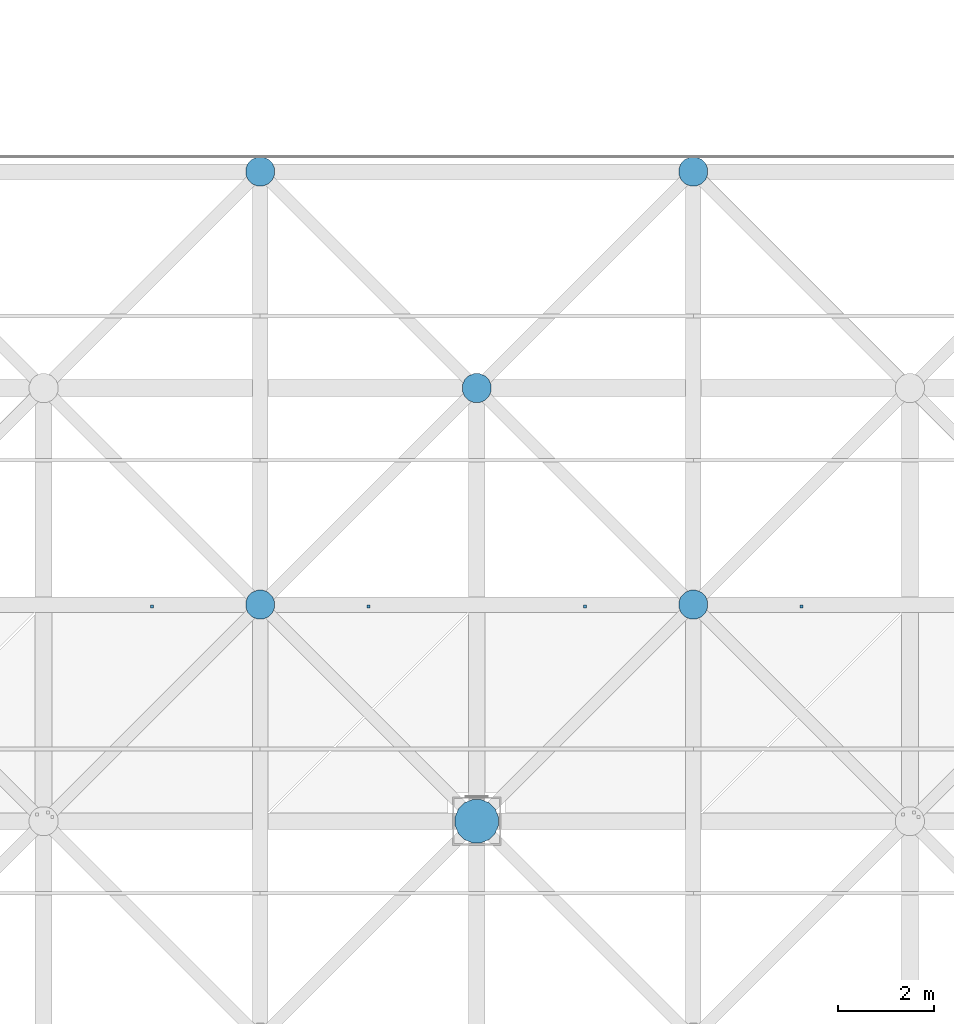
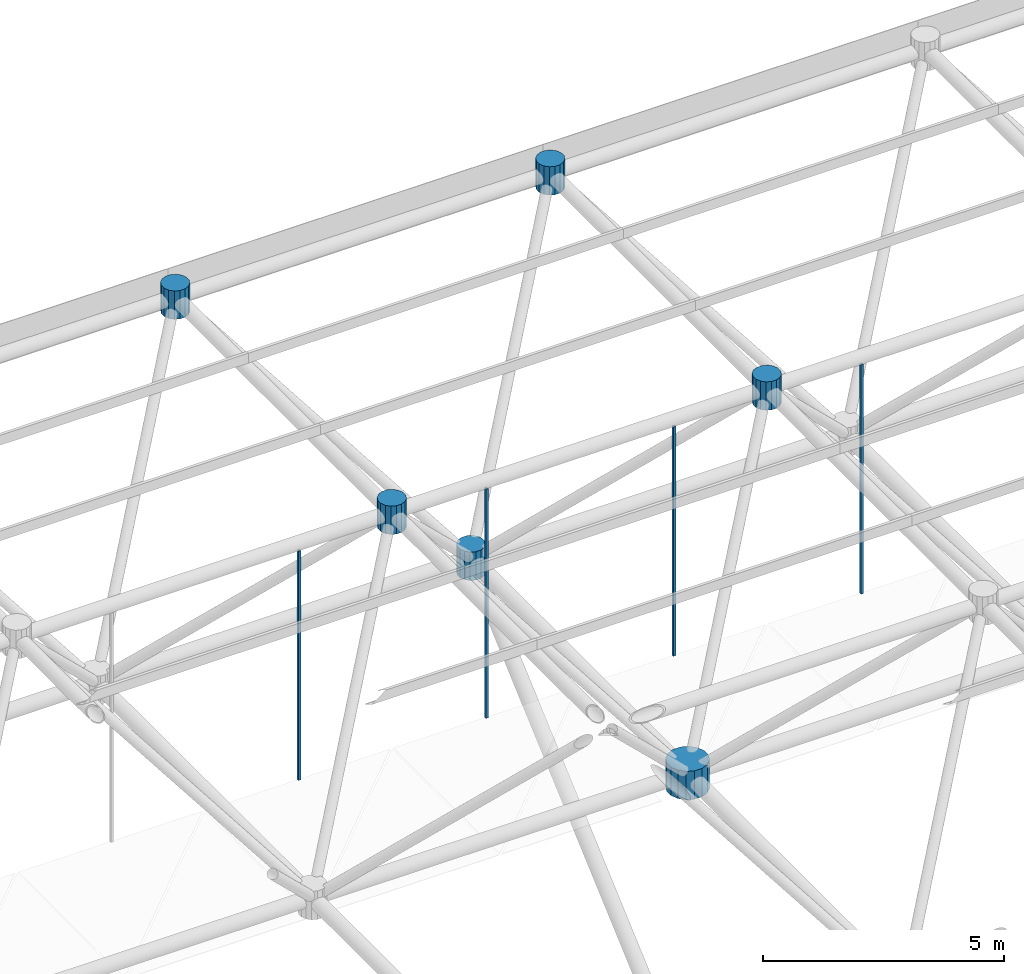
# One storey, part 327 of 437: 10 discrete accessories.
"""IFC4 building model written with IfcOpenShell, lengths in metres."""

import ifcopenshell
import ifcopenshell.guid

model = None  # the IFC model being written
_history = None  # IfcOwnerHistory: only IFC2X3 demands one
_inside = {}  # id of a spatial element -> (the spatial element, [elements in it])
_under = {}  # id of a project, library or spatial element -> (it, [spatial elements below it])
_declared = {}  # id of a project -> (the project, [libraries it declares])
_typed = {}  # id of a type object -> (the type object, [elements of that type])
_made_of = {}  # id of a material, layer set ... -> (it, [elements and type objects made of it])


def new_model(schema):
    """Start an empty IFC model of exactly this schema.

    Asked for "IFC4X3", IfcOpenShell would pick the latest addendum, in which some entities
    have other attributes; the version numbers below select the first issue.
    IFC2X3 requires an IfcOwnerHistory on every rooted entity: one is made here for all.
    """
    global model, _history
    if schema == "IFC4X3":
        model = ifcopenshell.file(schema_version=(4, 3, 0, 0))
    else:
        model = ifcopenshell.file(schema=schema)
    _inside.clear()
    _under.clear()
    _declared.clear()
    _typed.clear()
    _made_of.clear()
    _history = None
    if model.schema == "IFC2X3":
        org = make("IfcOrganization", Name="unknown")
        user = make(
            "IfcPersonAndOrganization",
            ThePerson=make("IfcPerson", FamilyName="unknown"),
            TheOrganization=org,
        )
        app = make(
            "IfcApplication",
            ApplicationDeveloper=org,
            Version="unknown",
            ApplicationFullName="unknown",
            ApplicationIdentifier="unknown",
        )
        _history = make(
            "IfcOwnerHistory",
            OwningUser=user,
            OwningApplication=app,
            ChangeAction="ADDED",
            CreationDate=0,
        )
    return model


def make(cls, **values):
    """One entity of the class cls with the attributes given. An attribute that is None is left unset."""
    return model.create_entity(
        cls, **{name: value for name, value in values.items() if value is not None}
    )


def rooted(cls, **values):
    """An entity with a GlobalId (a new one), such as an element, a storey or a relation."""
    return make(cls, GlobalId=ifcopenshell.guid.new(), OwnerHistory=_history, **values)


def si_unit(unit_type, name, prefix=None):
    """IfcSIUnit, for example si_unit("LENGTHUNIT", "METRE", prefix="MILLI")."""
    return make("IfcSIUnit", UnitType=unit_type, Prefix=prefix, Name=name)


def assignment(units):
    """IfcUnitAssignment: the units of a project."""
    return None if units is None else make("IfcUnitAssignment", Units=units)


def point(xyz):
    """IfcCartesianPoint."""
    return None if xyz is None else make("IfcCartesianPoint", Coordinates=xyz)


def direction(xyz):
    """IfcDirection."""
    return None if xyz is None else make("IfcDirection", DirectionRatios=xyz)


def frame(location, z_axis=None, x_axis=None):
    """IfcAxis2Placement3D, a coordinate frame: its origin and axes. An axis left out is left unset."""
    return make(
        "IfcAxis2Placement3D",
        Location=point(location),
        Axis=direction(z_axis),
        RefDirection=direction(x_axis),
    )


def origin():
    """The frame at (0, 0, 0) with its axes left unset."""
    return frame((0.0, 0.0, 0.0))


def place(relative_to, where):
    """IfcLocalPlacement: puts the frame where relative to a parent placement (None: the world)."""
    return make(
        "IfcLocalPlacement", PlacementRelTo=relative_to, RelativePlacement=where
    )


def context(
    kind, dimensions, precision=None, world=None, true_north=None, identifier=None
):
    """IfcGeometricRepresentationContext, for example the 3D "Model" context."""
    return make(
        "IfcGeometricRepresentationContext",
        ContextIdentifier=identifier,
        ContextType=kind,
        CoordinateSpaceDimension=dimensions,
        Precision=precision,
        WorldCoordinateSystem=world,
        TrueNorth=true_north,
    )


def subcontext(parent, identifier, kind, view, scale=None):
    """IfcGeometricRepresentationSubContext, for example "Body" below "Model"."""
    return make(
        "IfcGeometricRepresentationSubContext",
        ContextIdentifier=identifier,
        ContextType=kind,
        ParentContext=parent,
        TargetScale=scale,
        TargetView=view,
    )


def project(units=None, contexts=None):
    """IfcProject with its units and contexts."""
    return rooted(
        "IfcProject",
        Name="project",
        RepresentationContexts=contexts,
        UnitsInContext=assignment(units),
    )


def spatial(cls, under=None, at=None, **own):
    """A site, building, storey or space (cls), placed at a placement, below another one or the project."""
    s = rooted(cls, ObjectPlacement=at, **own)
    if under is not None:
        _under.setdefault(under.id(), (under, []))[1].append(s)
    return s


def polyline(points):
    """IfcPolyline through the points."""
    return make("IfcPolyline", Points=[point(p) for p in points])


def outline(outer, holes=None, kind="AREA"):
    """IfcArbitraryClosedProfileDef: a profile drawn as a closed curve; with holes, ...WithVoids."""
    if holes is None:
        return make("IfcArbitraryClosedProfileDef", ProfileType=kind, OuterCurve=outer)
    return make(
        "IfcArbitraryProfileDefWithVoids",
        ProfileType=kind,
        OuterCurve=outer,
        InnerCurves=holes,
    )


def extrude(swept, where, along, depth):
    """IfcExtrudedAreaSolid: the profile swept, set in the frame where, extruded along a direction by depth."""
    return make(
        "IfcExtrudedAreaSolid",
        SweptArea=swept,
        Position=where,
        ExtrudedDirection=direction(along),
        Depth=depth,
    )


def shape(context_of_items, identifier, shape_type, items):
    """IfcShapeRepresentation: the items that make up one representation, for example the "Body"."""
    return make(
        "IfcShapeRepresentation",
        ContextOfItems=context_of_items,
        RepresentationIdentifier=identifier,
        RepresentationType=shape_type,
        Items=items,
    )


def material(Name=None, Category=None):
    """IfcMaterial."""
    return make("IfcMaterial", Name=Name, Category=Category)


def made_of(thing, what):
    """Note that an element or type object is made of a material, layer set ...; save() writes the relation."""
    if what is not None:
        _made_of.setdefault(what.id(), (what, []))[1].append(thing)
    return thing


def type_object(cls, material=None, **own):
    """A type object (cls), such as IfcWallType, which elements share."""
    return made_of(rooted(cls, **own), material)


def element(
    cls,
    number,
    at=None,
    inside=None,
    cuts=None,
    type_object=None,
    material=None,
    context=None,
    identifier="Body",
    shape_type=None,
    held_by="IfcProductDefinitionShape",
    body=None,
    shapes=None,
    **own,
):
    """One element of the class cls, such as IfcWall. Its Tag is "e" and its number.

    at: its placement. inside: the storey or other place that contains it. cuts: it is an
    opening in that element (IfcRelVoidsElement). A single representation is given by context,
    identifier, shape_type and body (its items); several are given by shapes. held_by: the class
    of the entity that holds the representations. save() writes the other relations.
    """
    e = rooted(cls, Tag="e%d" % number, ObjectPlacement=at, **own)
    if body is not None:
        shapes = [shape(context, identifier, shape_type, body)]
    if shapes is not None:
        e.Representation = make(held_by, Representations=shapes)
    if inside is not None:
        _inside.setdefault(inside.id(), (inside, []))[1].append(e)
    if cuts is not None:
        rooted(
            "IfcRelVoidsElement", RelatingBuildingElement=cuts, RelatedOpeningElement=e
        )
    if type_object is not None:
        _typed.setdefault(type_object.id(), (type_object, []))[1].append(e)
    return made_of(e, material)


def aggregate(whole, parts):
    """IfcRelAggregates: a whole, such as a stair, and the parts it consists of."""
    return rooted("IfcRelAggregates", RelatingObject=whole, RelatedObjects=parts)


def save(model, path):
    """Write the relations noted so far, then the file.

    IfcRelAggregates (storeys below a building ...), IfcRelContainedInSpatialStructure (elements
    in a storey), IfcRelDefinesByType, IfcRelAssociatesMaterial and IfcRelDeclares: one each for
    every whole, place, type object, material and project.
    """
    for whole, parts in _under.values():
        aggregate(whole, parts)
    for where, things in _inside.values():
        rooted(
            "IfcRelContainedInSpatialStructure",
            RelatedElements=things,
            RelatingStructure=where,
        )
    for kind, things in _typed.values():
        rooted("IfcRelDefinesByType", RelatedObjects=things, RelatingType=kind)
    for what, things in _made_of.values():
        rooted("IfcRelAssociatesMaterial", RelatedObjects=things, RelatingMaterial=what)
    for by, libraries in _declared.values():
        rooted("IfcRelDeclares", RelatingContext=by, RelatedDefinitions=libraries)
    model.write(path)


model = new_model("IFC4")

# Units and contexts
model_context = context("Model", 3, precision=1e-05, world=origin(), true_north=direction((0.0, 1.0)))
body_context = subcontext(model_context, "Body", "Model", "MODEL_VIEW")
ifc_project = project(units=[si_unit("LENGTHUNIT", "METRE"), si_unit("AREAUNIT", "SQUARE_METRE"), si_unit("VOLUMEUNIT", "CUBIC_METRE"), si_unit("PLANEANGLEUNIT", "RADIAN"), si_unit("MASSUNIT", "GRAM", prefix="KILO")], contexts=[model_context])

# Site, building, storey
site_placement = place(None, origin())
site = spatial("IfcSite", under=ifc_project, at=site_placement, CompositionType="ELEMENT")
building_placement = place(site_placement, origin())
building = spatial("IfcBuilding", under=site, at=building_placement, Name="Opaline Strait Convention Centre", CompositionType="ELEMENT")
storey_placement = place(building_placement, frame((0.0, 0.0, 11.5)))
storey = spatial("IfcBuildingStorey", under=building, at=storey_placement, Name="L02", CompositionType="ELEMENT", Elevation=11.5)

# Discrete accessories
ifc_material_1 = material(Name="Steel Q355B", Category="steel")
discrete_accessory_type_1 = type_object("IfcDiscreteAccessoryType", Name="Soffit hanger 60x60 steel", PredefinedType="BRACKET", material=ifc_material_1)
discrete_accessory_1_placement = place(storey_placement, frame((0.0, 0.0, 11.989990234375)))
element("IfcDiscreteAccessory", 1, at=discrete_accessory_1_placement, inside=storey, type_object=discrete_accessory_type_1, Name="Soffit hanger", PredefinedType="BRACKET", context=body_context, shape_type="SweptSolid", body=[
    extrude(outline(polyline([(182.219970703125, 157.43505859375), (182.280029296875, 157.43505859375), (182.280029296875, 157.4951171875), (182.219970703125, 157.4951171875), (182.219970703125, 157.43505859375)])), origin(), (0.0, 0.0, 1.0), 5.819091796875),
])
discrete_accessory_2_placement = place(storey_placement, frame((0.0, 0.0, 11.989990234375)))
element("IfcDiscreteAccessory", 2, at=discrete_accessory_2_placement, inside=storey, type_object=discrete_accessory_type_1, Name="Soffit hanger", PredefinedType="BRACKET", context=body_context, shape_type="SweptSolid", body=[
    extrude(outline(polyline([(186.719970703125, 157.43505859375), (186.780029296875, 157.43505859375), (186.780029296875, 157.4951171875), (186.719970703125, 157.4951171875), (186.719970703125, 157.43505859375)])), origin(), (0.0, 0.0, 1.0), 5.819091796875),
])
discrete_accessory_3_placement = place(storey_placement, frame((0.0, 0.0, 11.989990234375)))
element("IfcDiscreteAccessory", 3, at=discrete_accessory_3_placement, inside=storey, type_object=discrete_accessory_type_1, Name="Soffit hanger", PredefinedType="BRACKET", context=body_context, shape_type="SweptSolid", body=[
    extrude(outline(polyline([(191.219970703125, 157.43505859375), (191.280029296875, 157.43505859375), (191.280029296875, 157.4951171875), (191.219970703125, 157.4951171875), (191.219970703125, 157.43505859375)])), origin(), (0.0, 0.0, 1.0), 5.819091796875),
])
discrete_accessory_4_placement = place(storey_placement, frame((0.0, 0.0, 11.989990234375)))
element("IfcDiscreteAccessory", 4, at=discrete_accessory_4_placement, inside=storey, type_object=discrete_accessory_type_1, Name="Soffit hanger", PredefinedType="BRACKET", context=body_context, shape_type="SweptSolid", body=[
    extrude(outline(polyline([(195.719970703125, 157.43505859375), (195.780029296875, 157.43505859375), (195.780029296875, 157.4951171875), (195.719970703125, 157.4951171875), (195.719970703125, 157.43505859375)])), origin(), (0.0, 0.0, 1.0), 5.819091796875),
])
ifc_material_2 = material(Name="Cast steel ZG300-500H (300 MPa)", Category="steel")
discrete_accessory_type_2 = type_object("IfcDiscreteAccessoryType", Name="Space frame bearing node hub D900", PredefinedType="USERDEFINED", material=ifc_material_2)
discrete_accessory_5_placement = place(storey_placement, frame((0.0, 0.0, 12.139892578125)))
element("IfcDiscreteAccessory", 5, at=discrete_accessory_5_placement, inside=storey, type_object=discrete_accessory_type_2, Name="Bottom node 12/13", ObjectType="NODE HUB", PredefinedType="USERDEFINED", context=body_context, shape_type="SweptSolid", body=[
    extrude(outline(polyline([(189.449951171875, 153.089599609375), (189.381591796875, 153.2548828125), (189.2548828125, 153.381591796875), (189.089599609375, 153.449951171875), (188.910400390625, 153.449951171875), (188.7451171875, 153.381591796875), (188.618408203125, 153.2548828125), (188.550048828125, 153.089599609375), (188.550048828125, 152.910400390625), (188.618408203125, 152.7451171875), (188.7451171875, 152.618408203125), (188.910400390625, 152.550048828125), (189.089599609375, 152.550048828125), (189.2548828125, 152.618408203125), (189.381591796875, 152.7451171875), (189.449951171875, 152.910400390625), (189.449951171875, 153.089599609375)])), origin(), (0.0, 0.0, 1.0), 0.72021484375),
])
discrete_accessory_type_3 = type_object("IfcDiscreteAccessoryType", Name="Space frame node hub D600", PredefinedType="USERDEFINED", material=ifc_material_2)
discrete_accessory_6_placement = place(storey_placement, frame((0.0, 0.0, 17.611572265625)))
element("IfcDiscreteAccessory", 6, at=discrete_accessory_6_placement, inside=storey, type_object=discrete_accessory_type_3, Name="Top node 12/14", ObjectType="NODE HUB", PredefinedType="USERDEFINED", context=body_context, shape_type="SweptSolid", body=[
    extrude(outline(polyline([(184.800048828125, 157.559814453125), (184.75439453125, 157.669921875), (184.669921875, 157.75439453125), (184.559814453125, 157.800048828125), (184.440185546875, 157.800048828125), (184.330078125, 157.75439453125), (184.24560546875, 157.669921875), (184.199951171875, 157.559814453125), (184.199951171875, 157.440185546875), (184.24560546875, 157.330078125), (184.330078125, 157.24560546875), (184.440185546875, 157.199951171875), (184.559814453125, 157.199951171875), (184.669921875, 157.24560546875), (184.75439453125, 157.330078125), (184.800048828125, 157.440185546875), (184.800048828125, 157.559814453125)])), origin(), (0.0, 0.0, 1.0), 0.719970703125),
])
discrete_accessory_7_placement = place(storey_placement, frame((0.0, 0.0, 17.611572265625)))
element("IfcDiscreteAccessory", 7, at=discrete_accessory_7_placement, inside=storey, type_object=discrete_accessory_type_3, Name="Top node 12/15", ObjectType="NODE HUB", PredefinedType="USERDEFINED", context=body_context, shape_type="SweptSolid", body=[
    extrude(outline(polyline([(184.800048828125, 166.559814453125), (184.75439453125, 166.669921875), (184.669921875, 166.75439453125), (184.559814453125, 166.800048828125), (184.440185546875, 166.800048828125), (184.330078125, 166.75439453125), (184.24560546875, 166.669921875), (184.199951171875, 166.559814453125), (184.199951171875, 166.440185546875), (184.24560546875, 166.330078125), (184.330078125, 166.24560546875), (184.440185546875, 166.199951171875), (184.559814453125, 166.199951171875), (184.669921875, 166.24560546875), (184.75439453125, 166.330078125), (184.800048828125, 166.440185546875), (184.800048828125, 166.559814453125)])), origin(), (0.0, 0.0, 1.0), 0.719970703125),
])
discrete_accessory_8_placement = place(storey_placement, frame((0.0, 0.0, 17.611572265625)))
element("IfcDiscreteAccessory", 8, at=discrete_accessory_8_placement, inside=storey, type_object=discrete_accessory_type_3, Name="Top node 13/14", ObjectType="NODE HUB", PredefinedType="USERDEFINED", context=body_context, shape_type="SweptSolid", body=[
    extrude(outline(polyline([(193.800048828125, 157.559814453125), (193.75439453125, 157.669921875), (193.669921875, 157.75439453125), (193.559814453125, 157.800048828125), (193.440185546875, 157.800048828125), (193.330078125, 157.75439453125), (193.24560546875, 157.669921875), (193.199951171875, 157.559814453125), (193.199951171875, 157.440185546875), (193.24560546875, 157.330078125), (193.330078125, 157.24560546875), (193.440185546875, 157.199951171875), (193.559814453125, 157.199951171875), (193.669921875, 157.24560546875), (193.75439453125, 157.330078125), (193.800048828125, 157.440185546875), (193.800048828125, 157.559814453125)])), origin(), (0.0, 0.0, 1.0), 0.719970703125),
])
discrete_accessory_9_placement = place(storey_placement, frame((0.0, 0.0, 17.611572265625)))
element("IfcDiscreteAccessory", 9, at=discrete_accessory_9_placement, inside=storey, type_object=discrete_accessory_type_3, Name="Top node 13/15", ObjectType="NODE HUB", PredefinedType="USERDEFINED", context=body_context, shape_type="SweptSolid", body=[
    extrude(outline(polyline([(193.800048828125, 166.559814453125), (193.75439453125, 166.669921875), (193.669921875, 166.75439453125), (193.559814453125, 166.800048828125), (193.440185546875, 166.800048828125), (193.330078125, 166.75439453125), (193.24560546875, 166.669921875), (193.199951171875, 166.559814453125), (193.199951171875, 166.440185546875), (193.24560546875, 166.330078125), (193.330078125, 166.24560546875), (193.440185546875, 166.199951171875), (193.559814453125, 166.199951171875), (193.669921875, 166.24560546875), (193.75439453125, 166.330078125), (193.800048828125, 166.440185546875), (193.800048828125, 166.559814453125)])), origin(), (0.0, 0.0, 1.0), 0.719970703125),
])
discrete_accessory_10_placement = place(storey_placement, frame((0.0, 0.0, 12.139892578125)))
element("IfcDiscreteAccessory", 10, at=discrete_accessory_10_placement, inside=storey, type_object=discrete_accessory_type_3, Name="Bottom node 12/14", ObjectType="NODE HUB", PredefinedType="USERDEFINED", context=body_context, shape_type="SweptSolid", body=[
    extrude(outline(polyline([(189.300048828125, 162.059814453125), (189.25439453125, 162.169921875), (189.169921875, 162.25439453125), (189.059814453125, 162.300048828125), (188.940185546875, 162.300048828125), (188.830078125, 162.25439453125), (188.74560546875, 162.169921875), (188.699951171875, 162.059814453125), (188.699951171875, 161.940185546875), (188.74560546875, 161.830078125), (188.830078125, 161.74560546875), (188.940185546875, 161.699951171875), (189.059814453125, 161.699951171875), (189.169921875, 161.74560546875), (189.25439453125, 161.830078125), (189.300048828125, 161.940185546875), (189.300048828125, 162.059814453125)])), origin(), (0.0, 0.0, 1.0), 0.72021484375),
])

save(model, "model.ifc")
